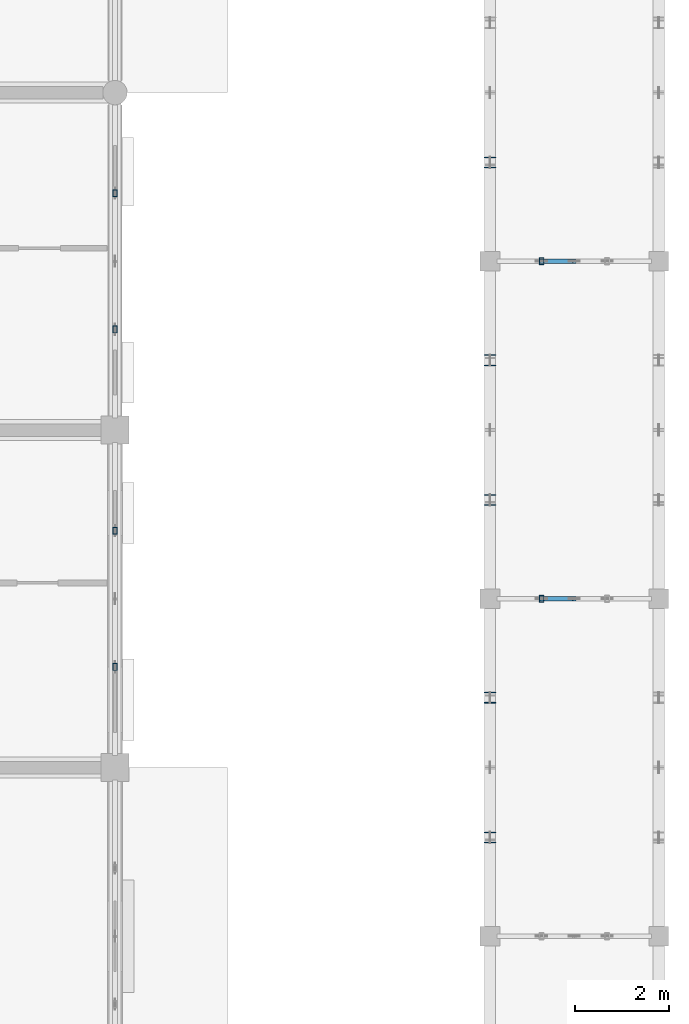
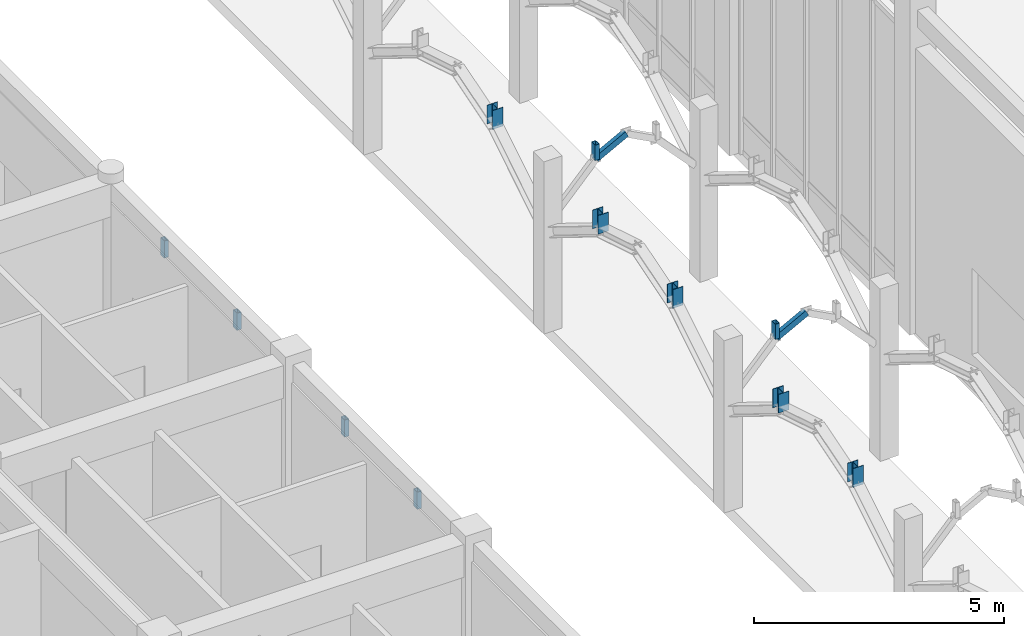
# One storey, part 43 of 138: 13 members.
"""IFC4 building model written with IfcOpenShell, lengths in metres."""

from ifc_helpers import new_model, si_unit, direction, frame, origin, origin_2d, place, context, subcontext, project, spatial, hollow_rectangle, i_section, extrude, material, material_profile, profile_set, type_object, element, save


model = new_model("IFC4")

# Units and contexts
model_context = context("Model", 3, precision=1e-05, world=origin(), true_north=direction((0.0, 1.0)))
body_context = subcontext(model_context, "Body", "Model", "MODEL_VIEW")
ifc_project = project(units=[si_unit("LENGTHUNIT", "METRE"), si_unit("AREAUNIT", "SQUARE_METRE"), si_unit("VOLUMEUNIT", "CUBIC_METRE"), si_unit("PLANEANGLEUNIT", "RADIAN"), si_unit("MASSUNIT", "GRAM", prefix="KILO"), si_unit("THERMODYNAMICTEMPERATUREUNIT", "KELVIN"), si_unit("POWERUNIT", "WATT")], contexts=[model_context])

# Site, building, storey
site_placement = place(None, origin())
site = spatial("IfcSite", under=ifc_project, at=site_placement, CompositionType="ELEMENT")
building_placement = place(site_placement, origin())
building = spatial("IfcBuilding", under=site, at=building_placement, Name="Tavuni Mirador Residences", CompositionType="ELEMENT")
storey_placement = place(building_placement, origin())
storey = spatial("IfcBuildingStorey", under=building, at=storey_placement, Name="L00", CompositionType="ELEMENT", Elevation=0.0)

# Members
ifc_material = material(Name="Structural steel S355", Category="steel")
ifc_material_profile_1 = material_profile(ifc_material, hollow_rectangle(XDim=0.10009765625, YDim=0.14990234375, WallThickness=0.008056640625, at=origin_2d()), Name="RHS 150x100x8.0", Category="steel")
ifc_profile_set_1 = profile_set([ifc_material_profile_1], Name="Structural steel S355")
member_type_1 = type_object("IfcMemberType", Name="MT-BR-RHS150", PredefinedType="BRACE", material=ifc_profile_set_1)
member_1_placement = place(storey_placement, frame((34.30029296875, 75.60009765625, 3.70751953125), z_axis=(0.0, 0.0, 1.0), x_axis=(1.0, 0.0, 0.0)))
element("IfcMember", 1, at=member_1_placement, inside=storey, type_object=member_type_1, Name="ARCH-COLO-T-03-V1", PredefinedType="BRACE", context=body_context, shape_type="SweptSolid", body=[
    extrude(hollow_rectangle(XDim=0.10009765625, YDim=0.14990234375, WallThickness=0.008056640625, at=origin_2d()), origin(), (0.0, 0.0, 1.0), 0.37255859375),
])
member_2_placement = place(storey_placement, frame((34.30029296875, 75.60009765625, 3.70751953125), z_axis=(0.882676699417, 0.0, 0.469980685035), x_axis=(0.0, 1.0, 0.0)))
element("IfcMember", 2, at=member_2_placement, inside=storey, type_object=member_type_1, Name="ARCH-COLO-T-03-S1", PredefinedType="BRACE", context=body_context, shape_type="SweptSolid", body=[
    extrude(hollow_rectangle(XDim=0.10009765625, YDim=0.14990234375, WallThickness=0.008056640625, at=origin_2d()), origin(), (0.0, 0.0, 1.0), 0.792724609375),
])
member_3_placement = place(storey_placement, frame((34.30029296875, 82.800048828125, 3.70751953125), z_axis=(0.0, 0.0, 1.0), x_axis=(1.0, 0.0, 0.0)))
element("IfcMember", 3, at=member_3_placement, inside=storey, type_object=member_type_1, Name="ARCH-COLO-T-04-V1", PredefinedType="BRACE", context=body_context, shape_type="SweptSolid", body=[
    extrude(hollow_rectangle(XDim=0.10009765625, YDim=0.14990234375, WallThickness=0.008056640625, at=origin_2d()), origin(), (0.0, 0.0, 1.0), 0.37255859375),
])
member_4_placement = place(storey_placement, frame((34.30029296875, 82.800048828125, 3.70751953125), z_axis=(0.882676699417, 0.0, 0.469980685035), x_axis=(0.0, 1.0, 0.0)))
element("IfcMember", 4, at=member_4_placement, inside=storey, type_object=member_type_1, Name="ARCH-COLO-T-04-S1", PredefinedType="BRACE", context=body_context, shape_type="SweptSolid", body=[
    extrude(hollow_rectangle(XDim=0.10009765625, YDim=0.14990234375, WallThickness=0.008056640625, at=origin_2d()), origin(), (0.0, 0.0, 1.0), 0.792724609375),
])
for number, where, z_axis, x_axis, name in (
    (5, (25.199951171875, 74.14794921875, 3.6298828125), (0.0, 0.0, 1.0), (1.0, 0.0, 0.0), "ARCH-BLKB-E-01-V1"),
    (6, (25.199951171875, 77.052001953125, 3.6298828125), (0.0, 0.0, 1.0), (1.0, 0.0, 0.0), "ARCH-BLKB-E-01-V2"),
    (7, (25.199951171875, 81.347900390625, 3.6298828125), (0.0, 0.0, 1.0), (1.0, 0.0, 0.0), "ARCH-BLKB-E-02-V1"),
    (8, (25.199951171875, 84.251953125, 3.6298828125), (0.0, 0.0, 1.0), (1.0, 0.0, 0.0), "ARCH-BLKB-E-02-V2"),
):
    element("IfcMember", number, at=place(storey_placement, frame(where, z_axis=z_axis, x_axis=x_axis)), inside=storey, type_object=member_type_1, Name=name, PredefinedType="BRACE", context=body_context, shape_type="SweptSolid", body=[
        extrude(hollow_rectangle(XDim=0.10009765625, YDim=0.14990234375, WallThickness=0.008056640625, at=origin_2d()), origin(), (0.0, 0.0, 1.0), 0.420166015625),
    ])
ifc_material_profile_2 = material_profile(ifc_material, i_section(OverallWidth=0.239990234375, OverallDepth=0.22998046875, WebThickness=0.007568359375, FlangeThickness=0.011962890625, FilletRadius=0.02099609375, at=origin_2d()), Name="HEA 240", Category="steel")
ifc_profile_set_2 = profile_set([ifc_material_profile_2], Name="Structural steel S355")
member_type_2 = type_object("IfcMemberType", Name="MT-CH-HEA240", PredefinedType="CHORD", material=ifc_profile_set_2)
for number, where, z_axis, x_axis, name in (
    (9, (33.199951171875, 70.50830078125, 3.62353515625), (0.0, 0.0, 1.0), (1.0, 0.0, 0.0), "ARCH-COLO-W-02-V1"),
    (10, (33.199951171875, 73.49169921875, 3.62353515625), (0.0, 0.0, 1.0), (1.0, 0.0, 0.0), "ARCH-COLO-W-02-V2"),
    (11, (33.199951171875, 77.70849609375, 3.62353515625), (0.0, 0.0, 1.0), (1.0, 0.0, 0.0), "ARCH-COLO-W-03-V1"),
    (12, (33.199951171875, 80.691650390625, 3.62353515625), (0.0, 0.0, 1.0), (1.0, 0.0, 0.0), "ARCH-COLO-W-03-V2"),
    (13, (33.199951171875, 84.908447265625, 3.62353515625), (0.0, 0.0, 1.0), (1.0, 0.0, 0.0), "ARCH-COLO-W-04-V1"),
):
    element("IfcMember", number, at=place(storey_placement, frame(where, z_axis=z_axis, x_axis=x_axis)), inside=storey, type_object=member_type_2, Name=name, PredefinedType="CHORD", context=body_context, shape_type="SweptSolid", body=[
        extrude(i_section(OverallWidth=0.239990234375, OverallDepth=0.22998046875, WebThickness=0.007568359375, FlangeThickness=0.011962890625, FilletRadius=0.02099609375, at=origin_2d()), origin(), (0.0, 0.0, 1.0), 0.45654296875),
    ])

save(model, "model.ifc")
